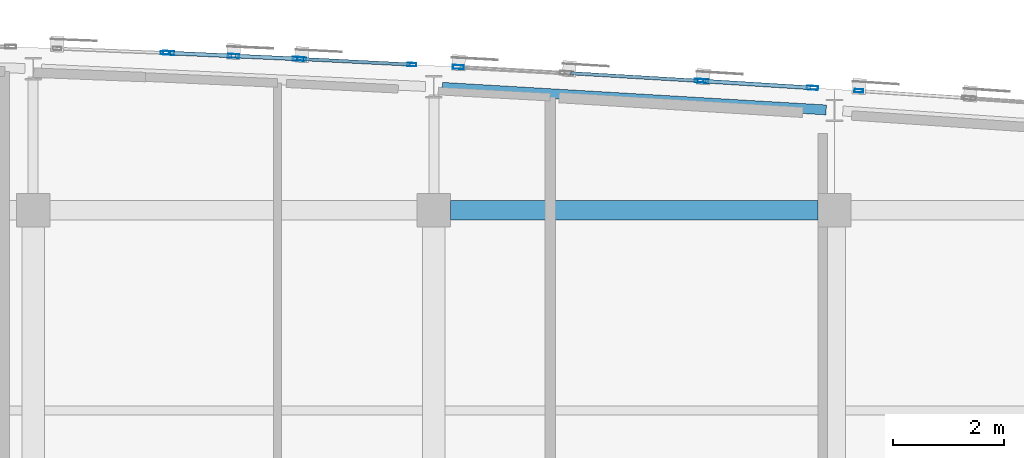
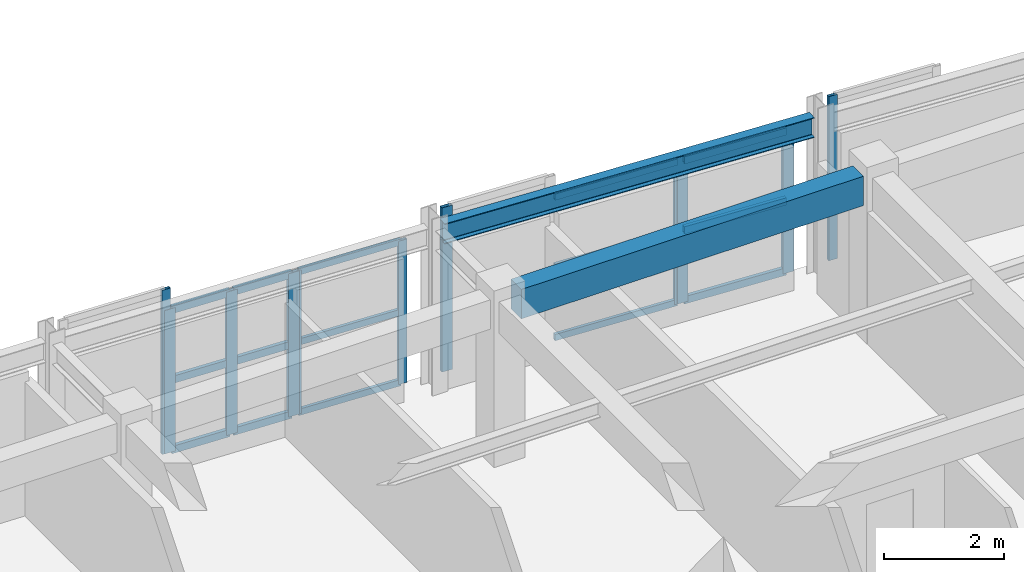
# One storey, part 32 of 73: 26 members, 2 beams, 7 elements without a shape of their own.
"""IFC4 building model written with IfcOpenShell, lengths in metres."""

from ifc_helpers import new_model, si_unit, direction, frame, origin, origin_2d, place, context, subcontext, project, spatial, rectangle, hollow_rectangle, i_section, extrude, material, layer, layer_set, material_profile, profile_set, type_object, element, aggregate, save


model = new_model("IFC4")

# Units and contexts
model_context = context("Model", 3, precision=1e-05, world=origin(), true_north=direction((0.0, 1.0)))
body_context = subcontext(model_context, "Body", "Model", "MODEL_VIEW")
ifc_project = project(units=[si_unit("LENGTHUNIT", "METRE"), si_unit("AREAUNIT", "SQUARE_METRE"), si_unit("VOLUMEUNIT", "CUBIC_METRE"), si_unit("PLANEANGLEUNIT", "RADIAN"), si_unit("MASSUNIT", "GRAM", prefix="KILO")], contexts=[model_context])

# Site, building, storey
site_placement = place(None, origin())
site = spatial("IfcSite", under=ifc_project, at=site_placement, CompositionType="ELEMENT")
building_placement = place(site_placement, origin())
building = spatial("IfcBuilding", under=site, at=building_placement, Name="Carrowvane Square Congress Hotel", CompositionType="ELEMENT")
storey_placement = place(building_placement, frame((0.0, 0.0, 19.199951171875)))
storey = spatial("IfcBuildingStorey", under=building, at=storey_placement, Name="L04", CompositionType="ELEMENT", Elevation=19.199951171875)

# Beams
ifc_material_1 = material(Name="Concrete C35/45", Category="concrete")
ifc_material_profile_1 = material_profile(ifc_material_1, rectangle(XDim=0.35009765625, YDim=0.60009765625, at=origin_2d()), Name="RC 350x600")
ifc_profile_set_1 = profile_set([ifc_material_profile_1], Name="Concrete C35/45")
beam_type_1 = type_object("IfcBeamType", Name="BM-RC-350x600", PredefinedType="BEAM", material=ifc_profile_set_1)
beam_1_placement = place(storey_placement, frame((119.89990234375, 113.39990234375, 3.050048828125), z_axis=(1.0, 0.0, 0.0), x_axis=(0.0, 1.0, 0.0)))
element("IfcBeam", 1, at=beam_1_placement, inside=storey, type_object=beam_type_1, Name="L05 girder R/16-17", PredefinedType="BEAM", context=body_context, shape_type="SweptSolid", body=[
    extrude(rectangle(XDim=0.35009765625, YDim=0.60009765625, at=origin_2d()), origin(), (0.0, 0.0, 1.0), 6.60009765625),
])
ifc_material_2 = material(Name="Steel S355", Category="steel")
ifc_material_profile_2 = material_profile(ifc_material_2, i_section(OverallWidth=0.1787109375, OverallDepth=0.409423828125, WebThickness=0.0087890625, FlangeThickness=0.014404296875, FilletRadius=0.01025390625, at=origin_2d()), Name="UKB 406x178x67")
ifc_profile_set_2 = profile_set([ifc_material_profile_2], Name="Steel S355")
beam_type_2 = type_object("IfcBeamType", Name="BM-ST-UKB406", PredefinedType="BEAM", material=ifc_profile_set_2)
beam_2_placement = place(storey_placement, frame((119.749755859375, 115.60888671875, 3.145263671875), z_axis=(0.99827559088, -0.058701317296, 0.0), x_axis=(0.058701317296, 0.99827559088, 0.0)))
element("IfcBeam", 2, at=beam_2_placement, inside=storey, type_object=beam_type_2, Name="L05 curved north spandrel", PredefinedType="BEAM", context=body_context, shape_type="SweptSolid", body=[
    extrude(i_section(OverallWidth=0.1787109375, OverallDepth=0.409423828125, WebThickness=0.0087890625, FlangeThickness=0.014404296875, FilletRadius=0.01025390625, at=origin_2d()), origin(), (0.0, 0.0, 1.0), 6.912353515625),
])

# Curtain wall, member
ifc_material_3 = material(Name="Anodised aluminium", Category="aluminium")
ifc_layer_1 = layer(ifc_material_3, 0.23388671875)
ifc_layer_set_1 = layer_set([ifc_layer_1], Name="Anodised aluminium")
curtain_wall_type_1 = type_object("IfcCurtainWallType", Name="CW-SYS-7", PredefinedType="NOTDEFINED", material=ifc_layer_set_1)
curtain_wall_1_placement = place(storey_placement, origin())
curtain_wall_1 = element("IfcCurtainWall", 3, at=curtain_wall_1_placement, inside=storey, type_object=curtain_wall_type_1, Name="L04 unitised curtain wall 278", PredefinedType="NOTDEFINED")
ifc_material_4 = material(Name="Anodised aluminium", Category="aluminium")
ifc_material_profile_3 = material_profile(ifc_material_4, hollow_rectangle(XDim=0.06005859375, YDim=0.159912109375, WallThickness=0.00390625, at=origin_2d()), Name="CW-ML 60x160x4")
ifc_profile_set_3 = profile_set([ifc_material_profile_3], Name="Anodised aluminium")
member_type_1 = type_object("IfcMemberType", Name="CW-MUL-1", PredefinedType="MULLION", material=ifc_profile_set_3)
member_1_placement = place(storey_placement, frame((114.77001953125, 116.228759765625, 0.0), z_axis=(0.0, 0.0, 1.0), x_axis=(0.040130957403, 0.999194428656, 0.0)))
member_1 = element("IfcMember", 4, at=member_1_placement, type_object=member_type_1, Name="CW-7 mullion 2", PredefinedType="MULLION", context=body_context, shape_type="SweptSolid", body=[
    extrude(hollow_rectangle(XDim=0.06005859375, YDim=0.159912109375, WallThickness=0.00390625, at=origin_2d()), origin(), (0.0, 0.0, 1.0), 3.35009765625),
])
aggregate(curtain_wall_1, [member_1])

# Curtain wall, members
ifc_material_5 = material(Name="Anodised aluminium", Category="aluminium")
ifc_layer_2 = layer(ifc_material_5, 0.162109375)
ifc_layer_set_2 = layer_set([ifc_layer_2], Name="Anodised aluminium")
curtain_wall_type_2 = type_object("IfcCurtainWallType", Name="CW-SYS-1", PredefinedType="NOTDEFINED", material=ifc_layer_set_2)
curtain_wall_2_placement = place(storey_placement, origin())
curtain_wall_2 = element("IfcCurtainWall", 5, at=curtain_wall_2_placement, inside=storey, type_object=curtain_wall_type_2, Name="L04 unitised curtain wall 280", PredefinedType="NOTDEFINED")
member_2_placement = place(storey_placement, frame((117.22998046875, 116.116943359375, 0.0), z_axis=(0.0, 0.0, 1.0), x_axis=(0.050323791596, 0.998732955299, 0.0)))
member_2 = element("IfcMember", 6, at=member_2_placement, type_object=member_type_1, Name="CW-1 mullion 1", PredefinedType="MULLION", context=body_context, shape_type="SweptSolid", body=[
    extrude(hollow_rectangle(XDim=0.06005859375, YDim=0.159912109375, WallThickness=0.00390625, at=origin_2d()), origin(), (0.0, 0.0, 1.0), 2.925537109375),
])
member_3_placement = place(storey_placement, frame((119.20556640625, 116.017578125, 0.0), z_axis=(0.0, 0.0, 1.0), x_axis=(0.050323791596, 0.998732955299, 0.0)))
member_3 = element("IfcMember", 7, at=member_3_placement, type_object=member_type_1, Name="CW-1 mullion 2", PredefinedType="MULLION", context=body_context, shape_type="SweptSolid", body=[
    extrude(hollow_rectangle(XDim=0.06005859375, YDim=0.159912109375, WallThickness=0.00390625, at=origin_2d()), origin(), (0.0, 0.0, 1.0), 2.925537109375),
])

# Curtain wall, member
ifc_material_6 = material(Name="Anodised aluminium", Category="aluminium")
ifc_layer_3 = layer(ifc_material_6, 0.18603515625)
ifc_layer_set_3 = layer_set([ifc_layer_3], Name="Anodised aluminium")
curtain_wall_type_3 = type_object("IfcCurtainWallType", Name="CW-SYS-3", PredefinedType="NOTDEFINED", material=ifc_layer_set_3)
curtain_wall_3_placement = place(storey_placement, origin())
curtain_wall_3 = element("IfcCurtainWall", 8, at=curtain_wall_3_placement, inside=storey, type_object=curtain_wall_type_3, Name="L04 unitised curtain wall 282", PredefinedType="NOTDEFINED")
member_4_placement = place(storey_placement, frame((124.3701171875, 115.72607421875, 0.0), z_axis=(0.0, 0.0, 1.0), x_axis=(0.058851249486, 0.998266763162, 0.0)))
member_4 = element("IfcMember", 9, at=member_4_placement, type_object=member_type_1, Name="CW-3 mullion 2", PredefinedType="MULLION", context=body_context, shape_type="SweptSolid", body=[
    extrude(hollow_rectangle(XDim=0.06005859375, YDim=0.159912109375, WallThickness=0.00390625, at=origin_2d()), origin(), (0.0, 0.0, 1.0), 2.925537109375),
])

ifc_material_7 = material(Name="Anodised aluminium", Category="aluminium")
ifc_layer_4 = layer(ifc_material_7, 0.2099609375)
ifc_layer_set_4 = layer_set([ifc_layer_4], Name="Anodised aluminium")
curtain_wall_type_4 = type_object("IfcCurtainWallType", Name="CW-SYS-5", PredefinedType="NOTDEFINED", material=ifc_layer_set_4)
curtain_wall_4_placement = place(storey_placement, origin())
curtain_wall_4 = element("IfcCurtainWall", 10, at=curtain_wall_4_placement, inside=storey, type_object=curtain_wall_type_4, Name="L04 unitised curtain wall 284", PredefinedType="NOTDEFINED")
member_5_placement = place(storey_placement, frame((127.23828125, 115.545654296875, 0.0), z_axis=(0.0, 0.0, 1.0), x_axis=(0.065413941589, 0.9978582145, 0.0)))
member_5 = element("IfcMember", 11, at=member_5_placement, type_object=member_type_1, Name="CW-5 mullion 1", PredefinedType="MULLION", context=body_context, shape_type="SweptSolid", body=[
    extrude(hollow_rectangle(XDim=0.06005859375, YDim=0.159912109375, WallThickness=0.00390625, at=origin_2d()), origin(), (0.0, 0.0, 1.0), 3.35009765625),
])
aggregate(curtain_wall_4, [member_5])

# Curtain wall, members
ifc_material_8 = material(Name="Anodised aluminium", Category="aluminium")
ifc_layer_5 = layer(ifc_material_8, 0.24609375)
ifc_layer_set_5 = layer_set([ifc_layer_5], Name="Anodised aluminium")
curtain_wall_type_5 = type_object("IfcCurtainWallType", Name="CW-SYS-8", PredefinedType="NOTDEFINED", material=ifc_layer_set_5)
curtain_wall_5_placement = place(storey_placement, origin())
curtain_wall_5 = element("IfcCurtainWall", 12, at=curtain_wall_5_placement, inside=storey, type_object=curtain_wall_type_5, Name="L04 unitised curtain wall 279", PredefinedType="NOTDEFINED")
ifc_material_9 = material(Name="Anodised aluminium", Category="aluminium")
ifc_material_profile_4 = material_profile(ifc_material_9, hollow_rectangle(XDim=0.070068359375, YDim=0.199951171875, WallThickness=0.0048828125, at=origin_2d()), Name="CW-ML 70x200x5")
ifc_profile_set_4 = profile_set([ifc_material_profile_4], Name="Anodised aluminium")
member_type_2 = type_object("IfcMemberType", Name="CW-MUL-2", PredefinedType="MULLION", material=ifc_profile_set_4)
member_6_placement = place(storey_placement, frame((114.8349609375, 116.22607421875, 0.0), z_axis=(0.0, 0.0, 1.0), x_axis=(0.045411059449, 0.998968385726, 0.0)))
member_6 = element("IfcMember", 13, at=member_6_placement, type_object=member_type_2, Name="CW-8 mullion 1", PredefinedType="MULLION", context=body_context, shape_type="SweptSolid", body=[
    extrude(hollow_rectangle(XDim=0.070068359375, YDim=0.199951171875, WallThickness=0.0048828125, at=origin_2d()), origin(), (0.0, 0.0, 1.0), 2.925537109375),
])
member_7_placement = place(storey_placement, frame((116.0, 116.173095703125, 0.0), z_axis=(0.0, 0.0, 1.0), x_axis=(0.045411059449, 0.998968385726, 0.0)))
member_7 = element("IfcMember", 14, at=member_7_placement, type_object=member_type_2, Name="CW-8 mullion 2", PredefinedType="MULLION", context=body_context, shape_type="SweptSolid", body=[
    extrude(hollow_rectangle(XDim=0.070068359375, YDim=0.199951171875, WallThickness=0.0048828125, at=origin_2d()), origin(), (0.0, 0.0, 1.0), 2.925537109375),
])
member_8_placement = place(storey_placement, frame((117.1650390625, 116.1201171875, 0.0), z_axis=(0.0, 0.0, 1.0), x_axis=(0.045411059449, 0.998968385726, 0.0)))
member_8 = element("IfcMember", 15, at=member_8_placement, type_object=member_type_2, Name="CW-8 mullion 3", PredefinedType="MULLION", context=body_context, shape_type="SweptSolid", body=[
    extrude(hollow_rectangle(XDim=0.070068359375, YDim=0.199951171875, WallThickness=0.0048828125, at=origin_2d()), origin(), (0.0, 0.0, 1.0), 2.925537109375),
])

# Curtain wall, member
ifc_material_10 = material(Name="Anodised aluminium", Category="aluminium")
ifc_layer_6 = layer(ifc_material_10, 0.174072265625)
ifc_layer_set_6 = layer_set([ifc_layer_6], Name="Anodised aluminium")
curtain_wall_type_6 = type_object("IfcCurtainWallType", Name="CW-SYS-2", PredefinedType="NOTDEFINED", material=ifc_layer_set_6)
curtain_wall_6_placement = place(storey_placement, origin())
curtain_wall_6 = element("IfcCurtainWall", 16, at=curtain_wall_6_placement, inside=storey, type_object=curtain_wall_type_6, Name="L04 unitised curtain wall 281", PredefinedType="NOTDEFINED")
member_9_placement = place(storey_placement, frame((120.03955078125, 115.973388671875, 0.0), z_axis=(0.0, 0.0, 1.0), x_axis=(0.054815980317, 0.998496473856, 0.0)))
member_9 = element("IfcMember", 17, at=member_9_placement, type_object=member_type_2, Name="CW-2 mullion 1", PredefinedType="MULLION", context=body_context, shape_type="SweptSolid", body=[
    extrude(hollow_rectangle(XDim=0.070068359375, YDim=0.199951171875, WallThickness=0.0048828125, at=origin_2d()), origin(), (0.0, 0.0, 1.0), 3.35009765625),
])
aggregate(curtain_wall_6, [member_9])

# Curtain wall, members
ifc_material_11 = material(Name="Anodised aluminium", Category="aluminium")
ifc_layer_7 = layer(ifc_material_11, 0.197998046875)
ifc_layer_set_7 = layer_set([ifc_layer_7], Name="Anodised aluminium")
curtain_wall_type_7 = type_object("IfcCurtainWallType", Name="CW-SYS-4", PredefinedType="NOTDEFINED", material=ifc_layer_set_7)
curtain_wall_7_placement = place(storey_placement, origin())
curtain_wall_7 = element("IfcCurtainWall", 18, at=curtain_wall_7_placement, inside=storey, type_object=curtain_wall_type_7, Name="L04 unitised curtain wall 283", PredefinedType="NOTDEFINED")
member_10_placement = place(storey_placement, frame((124.434814453125, 115.72216796875, 0.0), z_axis=(0.0, 0.0, 1.0), x_axis=(0.062397170272, 0.998051398046, 0.0)))
member_10 = element("IfcMember", 19, at=member_10_placement, type_object=member_type_2, Name="CW-4 mullion 1", PredefinedType="MULLION", context=body_context, shape_type="SweptSolid", body=[
    extrude(hollow_rectangle(XDim=0.070068359375, YDim=0.199951171875, WallThickness=0.0048828125, at=origin_2d()), origin(), (0.0, 0.0, 1.0), 2.925537109375),
])
member_11_placement = place(storey_placement, frame((126.405029296875, 115.598876953125, 0.0), z_axis=(0.0, 0.0, 1.0), x_axis=(0.062397170272, 0.998051398046, 0.0)))
member_11 = element("IfcMember", 20, at=member_11_placement, type_object=member_type_2, Name="CW-4 mullion 2", PredefinedType="MULLION", context=body_context, shape_type="SweptSolid", body=[
    extrude(hollow_rectangle(XDim=0.070068359375, YDim=0.199951171875, WallThickness=0.0048828125, at=origin_2d()), origin(), (0.0, 0.0, 1.0), 2.925537109375),
])

# Member
ifc_material_12 = material(Name="Anodised aluminium", Category="aluminium")
ifc_material_profile_5 = material_profile(ifc_material_12, hollow_rectangle(XDim=0.06005859375, YDim=0.1298828125, WallThickness=0.00390625, at=origin_2d()), Name="CW-TR 60x130x4")
ifc_profile_set_5 = profile_set([ifc_material_profile_5], Name="Anodised aluminium")
member_type_3 = type_object("IfcMemberType", Name="CW-TRN-1", PredefinedType="USERDEFINED", material=ifc_profile_set_5)
member_12_placement = place(storey_placement, frame((117.260009765625, 116.115478515625, 0.030029296875), z_axis=(0.998735138435, -0.050280446047, 0.0), x_axis=(0.050280446047, 0.998735138435, 0.0)))
member_12 = element("IfcMember", 21, at=member_12_placement, type_object=member_type_3, Name="CW-1 transom 1.1", ObjectType="TRANSOM", PredefinedType="USERDEFINED", context=body_context, shape_type="SweptSolid", body=[
    extrude(hollow_rectangle(XDim=0.06005859375, YDim=0.1298828125, WallThickness=0.00390625, at=origin_2d()), origin(), (0.0, 0.0, 1.0), 1.91796875),
])

member_13_placement = place(storey_placement, frame((117.260009765625, 116.115478515625, 1.462890625), z_axis=(0.998735138435, -0.050280446047, 0.0), x_axis=(0.050280446047, 0.998735138435, 0.0)))
member_13 = element("IfcMember", 22, at=member_13_placement, type_object=member_type_3, Name="CW-1 transom 1.2", ObjectType="TRANSOM", PredefinedType="USERDEFINED", context=body_context, shape_type="SweptSolid", body=[
    extrude(hollow_rectangle(XDim=0.06005859375, YDim=0.1298828125, WallThickness=0.00390625, at=origin_2d()), origin(), (0.0, 0.0, 1.0), 1.91796875),
])

member_14_placement = place(storey_placement, frame((117.260009765625, 116.115478515625, 2.895751953125), z_axis=(0.998735138435, -0.050280446047, 0.0), x_axis=(0.050280446047, 0.998735138435, 0.0)))
member_14 = element("IfcMember", 23, at=member_14_placement, type_object=member_type_3, Name="CW-1 transom 1.3", ObjectType="TRANSOM", PredefinedType="USERDEFINED", context=body_context, shape_type="SweptSolid", body=[
    extrude(hollow_rectangle(XDim=0.06005859375, YDim=0.1298828125, WallThickness=0.00390625, at=origin_2d()), origin(), (0.0, 0.0, 1.0), 1.91796875),
])

aggregate(curtain_wall_2, [member_2, member_3, member_12, member_13, member_14])

member_15_placement = place(storey_placement, frame((122.059814453125, 115.8623046875, 0.030029296875), z_axis=(0.998264407893, -0.058891187232, 0.0), x_axis=(0.058891187232, 0.998264407893, 0.0)))
member_15 = element("IfcMember", 24, at=member_15_placement, type_object=member_type_3, Name="CW-3 transom 1.1", ObjectType="TRANSOM", PredefinedType="USERDEFINED", context=body_context, shape_type="SweptSolid", body=[
    extrude(hollow_rectangle(XDim=0.06005859375, YDim=0.1298828125, WallThickness=0.00390625, at=origin_2d()), origin(), (0.0, 0.0, 1.0), 2.2841796875),
])

member_16_placement = place(storey_placement, frame((122.059814453125, 115.8623046875, 1.462890625), z_axis=(0.998264407893, -0.058891187232, 0.0), x_axis=(0.058891187232, 0.998264407893, 0.0)))
member_16 = element("IfcMember", 25, at=member_16_placement, type_object=member_type_3, Name="CW-3 transom 1.2", ObjectType="TRANSOM", PredefinedType="USERDEFINED", context=body_context, shape_type="SweptSolid", body=[
    extrude(hollow_rectangle(XDim=0.06005859375, YDim=0.1298828125, WallThickness=0.00390625, at=origin_2d()), origin(), (0.0, 0.0, 1.0), 2.2841796875),
])

member_17_placement = place(storey_placement, frame((122.059814453125, 115.8623046875, 2.895751953125), z_axis=(0.998264407893, -0.058891187232, 0.0), x_axis=(0.058891187232, 0.998264407893, 0.0)))
member_17 = element("IfcMember", 26, at=member_17_placement, type_object=member_type_3, Name="CW-3 transom 1.3", ObjectType="TRANSOM", PredefinedType="USERDEFINED", context=body_context, shape_type="SweptSolid", body=[
    extrude(hollow_rectangle(XDim=0.06005859375, YDim=0.1298828125, WallThickness=0.00390625, at=origin_2d()), origin(), (0.0, 0.0, 1.0), 2.2841796875),
])

aggregate(curtain_wall_3, [member_4, member_15, member_16, member_17])

ifc_material_13 = material(Name="Anodised aluminium", Category="aluminium")
ifc_material_profile_6 = material_profile(ifc_material_13, hollow_rectangle(XDim=0.070068359375, YDim=0.14990234375, WallThickness=0.0048828125, at=origin_2d()), Name="CW-TR 70x150x5")
ifc_profile_set_6 = profile_set([ifc_material_profile_6], Name="Anodised aluminium")
member_type_4 = type_object("IfcMemberType", Name="CW-TRN-2", PredefinedType="USERDEFINED", material=ifc_profile_set_6)
member_18_placement = place(storey_placement, frame((114.869873046875, 116.224365234375, 0.03515625), z_axis=(0.998967621715, -0.045427863315, 0.0), x_axis=(0.045427863315, 0.998967621715, 0.0)))
member_18 = element("IfcMember", 27, at=member_18_placement, type_object=member_type_4, Name="CW-8 transom 1.1", ObjectType="TRANSOM", PredefinedType="USERDEFINED", context=body_context, shape_type="SweptSolid", body=[
    extrude(hollow_rectangle(XDim=0.070068359375, YDim=0.14990234375, WallThickness=0.0048828125, at=origin_2d()), origin(), (0.0, 0.0, 1.0), 1.096435546875),
])

member_19_placement = place(storey_placement, frame((114.869873046875, 116.224365234375, 1.462890625), z_axis=(0.998967621715, -0.045427863315, 0.0), x_axis=(0.045427863315, 0.998967621715, 0.0)))
member_19 = element("IfcMember", 28, at=member_19_placement, type_object=member_type_4, Name="CW-8 transom 1.2", ObjectType="TRANSOM", PredefinedType="USERDEFINED", context=body_context, shape_type="SweptSolid", body=[
    extrude(hollow_rectangle(XDim=0.070068359375, YDim=0.14990234375, WallThickness=0.0048828125, at=origin_2d()), origin(), (0.0, 0.0, 1.0), 1.096435546875),
])

member_20_placement = place(storey_placement, frame((114.869873046875, 116.224365234375, 2.890625), z_axis=(0.998967621715, -0.045427863315, 0.0), x_axis=(0.045427863315, 0.998967621715, 0.0)))
member_20 = element("IfcMember", 29, at=member_20_placement, type_object=member_type_4, Name="CW-8 transom 1.3", ObjectType="TRANSOM", PredefinedType="USERDEFINED", context=body_context, shape_type="SweptSolid", body=[
    extrude(hollow_rectangle(XDim=0.070068359375, YDim=0.14990234375, WallThickness=0.0048828125, at=origin_2d()), origin(), (0.0, 0.0, 1.0), 1.096435546875),
])

member_21_placement = place(storey_placement, frame((116.034912109375, 116.17138671875, 0.03515625), z_axis=(0.998967621715, -0.045427863315, 0.0), x_axis=(0.045427863315, 0.998967621715, 0.0)))
member_21 = element("IfcMember", 30, at=member_21_placement, type_object=member_type_4, Name="CW-8 transom 2.1", ObjectType="TRANSOM", PredefinedType="USERDEFINED", context=body_context, shape_type="SweptSolid", body=[
    extrude(hollow_rectangle(XDim=0.070068359375, YDim=0.14990234375, WallThickness=0.0048828125, at=origin_2d()), origin(), (0.0, 0.0, 1.0), 1.096435546875),
])

member_22_placement = place(storey_placement, frame((116.034912109375, 116.17138671875, 1.462890625), z_axis=(0.998967621715, -0.045427863315, 0.0), x_axis=(0.045427863315, 0.998967621715, 0.0)))
member_22 = element("IfcMember", 31, at=member_22_placement, type_object=member_type_4, Name="CW-8 transom 2.2", ObjectType="TRANSOM", PredefinedType="USERDEFINED", context=body_context, shape_type="SweptSolid", body=[
    extrude(hollow_rectangle(XDim=0.070068359375, YDim=0.14990234375, WallThickness=0.0048828125, at=origin_2d()), origin(), (0.0, 0.0, 1.0), 1.096435546875),
])

member_23_placement = place(storey_placement, frame((116.034912109375, 116.17138671875, 2.890625), z_axis=(0.998967621715, -0.045427863315, 0.0), x_axis=(0.045427863315, 0.998967621715, 0.0)))
member_23 = element("IfcMember", 32, at=member_23_placement, type_object=member_type_4, Name="CW-8 transom 2.3", ObjectType="TRANSOM", PredefinedType="USERDEFINED", context=body_context, shape_type="SweptSolid", body=[
    extrude(hollow_rectangle(XDim=0.070068359375, YDim=0.14990234375, WallThickness=0.0048828125, at=origin_2d()), origin(), (0.0, 0.0, 1.0), 1.096435546875),
])

aggregate(curtain_wall_5, [member_6, member_7, member_8, member_18, member_19, member_20, member_21, member_22, member_23])

member_24_placement = place(storey_placement, frame((124.469970703125, 115.719970703125, 0.03515625), z_axis=(0.998048085199, -0.062450137157, 0.0), x_axis=(0.062450137157, 0.998048085199, 0.0)))
member_24 = element("IfcMember", 33, at=member_24_placement, type_object=member_type_4, Name="CW-4 transom 1.1", ObjectType="TRANSOM", PredefinedType="USERDEFINED", context=body_context, shape_type="SweptSolid", body=[
    extrude(hollow_rectangle(XDim=0.070068359375, YDim=0.14990234375, WallThickness=0.0048828125, at=origin_2d()), origin(), (0.0, 0.0, 1.0), 1.90380859375),
])

member_25_placement = place(storey_placement, frame((124.469970703125, 115.719970703125, 1.462890625), z_axis=(0.998048085199, -0.062450137157, 0.0), x_axis=(0.062450137157, 0.998048085199, 0.0)))
member_25 = element("IfcMember", 34, at=member_25_placement, type_object=member_type_4, Name="CW-4 transom 1.2", ObjectType="TRANSOM", PredefinedType="USERDEFINED", context=body_context, shape_type="SweptSolid", body=[
    extrude(hollow_rectangle(XDim=0.070068359375, YDim=0.14990234375, WallThickness=0.0048828125, at=origin_2d()), origin(), (0.0, 0.0, 1.0), 1.90380859375),
])

member_26_placement = place(storey_placement, frame((124.469970703125, 115.719970703125, 2.890625), z_axis=(0.998048085199, -0.062450137157, 0.0), x_axis=(0.062450137157, 0.998048085199, 0.0)))
member_26 = element("IfcMember", 35, at=member_26_placement, type_object=member_type_4, Name="CW-4 transom 1.3", ObjectType="TRANSOM", PredefinedType="USERDEFINED", context=body_context, shape_type="SweptSolid", body=[
    extrude(hollow_rectangle(XDim=0.070068359375, YDim=0.14990234375, WallThickness=0.0048828125, at=origin_2d()), origin(), (0.0, 0.0, 1.0), 1.90380859375),
])

aggregate(curtain_wall_7, [member_10, member_11, member_24, member_25, member_26])

save(model, "model.ifc")
